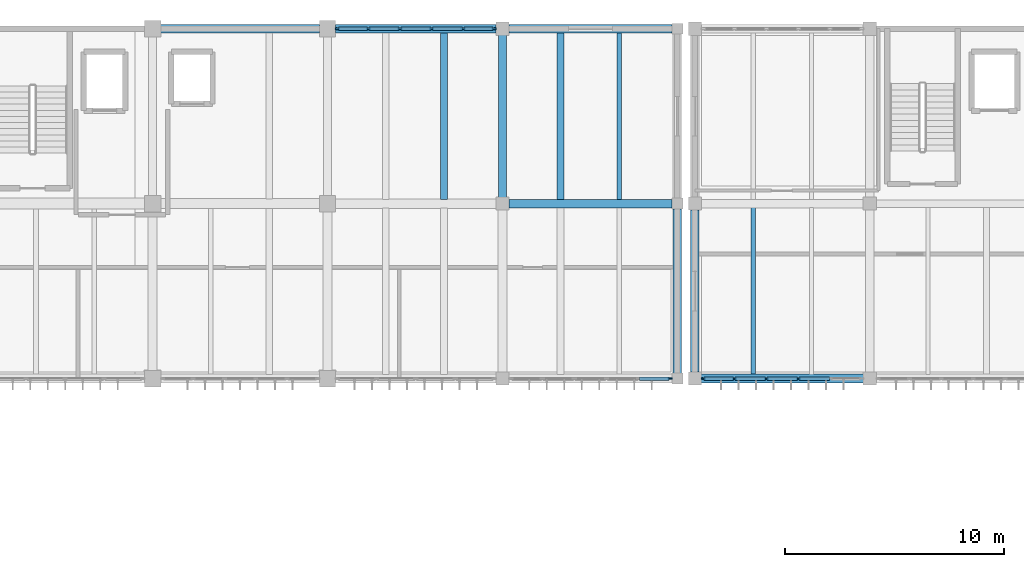
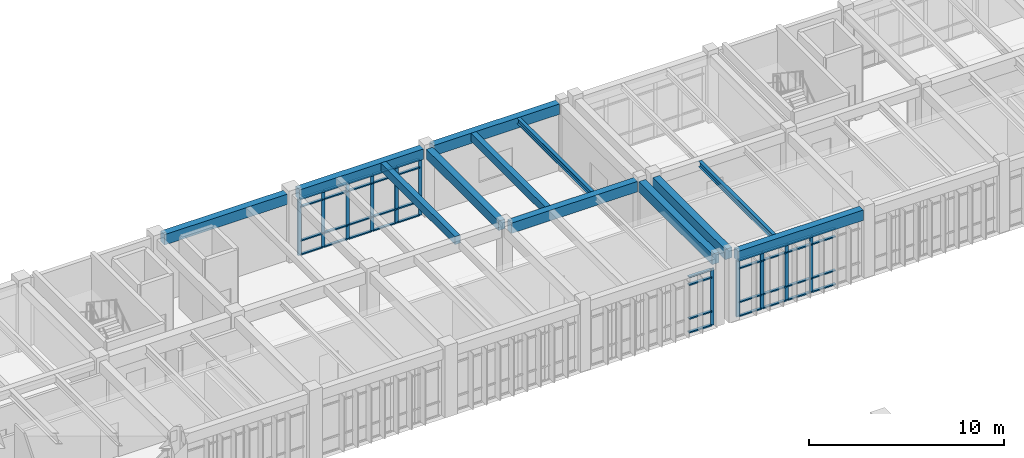
# One storey, part 26 of 79: 51 members, 12 beams, 3 elements without a shape of their own.
"""IFC4 building model written with IfcOpenShell, lengths in metres."""

from ifc_helpers import new_model, si_unit, direction, frame, origin, origin_2d, place, context, subcontext, project, spatial, rectangle, i_section, extrude, material, material_profile, profile_set, type_object, element, aggregate, save


model = new_model("IFC4")

# Units and contexts
model_context = context("Model", 3, precision=1e-05, world=origin(), true_north=direction((0.0, 1.0)))
body_context = subcontext(model_context, "Body", "Model", "MODEL_VIEW")
ifc_project = project(units=[si_unit("LENGTHUNIT", "METRE"), si_unit("AREAUNIT", "SQUARE_METRE"), si_unit("VOLUMEUNIT", "CUBIC_METRE"), si_unit("PLANEANGLEUNIT", "RADIAN"), si_unit("MASSUNIT", "GRAM", prefix="KILO")], contexts=[model_context])

# Site, building, storey
site_placement = place(None, origin())
site = spatial("IfcSite", under=ifc_project, at=site_placement, CompositionType="ELEMENT")
building_placement = place(site_placement, origin())
building = spatial("IfcBuilding", under=site, at=building_placement, Name="Tlaxcora Railside Police Headquarters", CompositionType="ELEMENT")
storey_placement = place(building_placement, frame((0.0, 0.0, 9.0)))
storey = spatial("IfcBuildingStorey", under=building, at=storey_placement, Name="L02", CompositionType="ELEMENT", Elevation=9.0)

# Curtain wall, member
ifc_material_1 = material(Name="Thermally broken low-E insulated glazing", Category="glass")
curtain_wall_type_1 = type_object("IfcCurtainWallType", Name="Unitised Curtain Wall Assembly CW-23", PredefinedType="NOTDEFINED", material=ifc_material_1)
curtain_wall_1_placement = place(storey_placement, origin())
curtain_wall_1 = element("IfcCurtainWall", 1, at=curtain_wall_1_placement, inside=storey, type_object=curtain_wall_type_1, Name="V5 L02 curtain wall 60", PredefinedType="NOTDEFINED")
ifc_material_2 = material(Name="Anodised aluminium framing", Category="aluminium")
ifc_material_profile_1 = material_profile(ifc_material_2, rectangle(XDim=0.080078125, YDim=0.219970703125, at=origin_2d()), Name="AL80X220")
ifc_profile_set_1 = profile_set([ifc_material_profile_1], Name="Anodised aluminium framing")
member_type_1 = type_object("IfcMemberType", Name="Curtain Wall Mullion CW-31", PredefinedType="MULLION", material=ifc_profile_set_1)
member_1_placement = place(storey_placement, frame((101.659912109375, 76.800048828125, 0.0), z_axis=(0.0, 0.0, 1.0), x_axis=(0.0, 1.0, 0.0)))
member_1 = element("IfcMember", 2, at=member_1_placement, type_object=member_type_1, Name="CW mullion 6", PredefinedType="MULLION", context=body_context, shape_type="SweptSolid", body=[
    extrude(rectangle(XDim=0.080078125, YDim=0.219970703125, at=origin_2d()), origin(), (0.0, 0.0, 1.0), 3.550048828125),
])

# Curtain wall, members
curtain_wall_type_2 = type_object("IfcCurtainWallType", Name="Unitised Curtain Wall Assembly CW-38", PredefinedType="NOTDEFINED", material=ifc_material_1)
curtain_wall_2_placement = place(storey_placement, origin())
curtain_wall_2 = element("IfcCurtainWall", 3, at=curtain_wall_2_placement, inside=storey, type_object=curtain_wall_type_2, Name="V5 L02 curtain wall 61", PredefinedType="NOTDEFINED")
ifc_material_profile_2 = material_profile(ifc_material_2, rectangle(XDim=0.074951171875, YDim=0.205078125, at=origin_2d()), Name="AL75X205")
ifc_profile_set_2 = profile_set([ifc_material_profile_2], Name="Anodised aluminium framing")
member_type_2 = type_object("IfcMemberType", Name="Curtain Wall Mullion CW-32", PredefinedType="MULLION", material=ifc_profile_set_2)
member_2_placement = place(storey_placement, frame((93.612548828125, 92.800048828125, 0.0), z_axis=(0.0, 0.0, 1.0), x_axis=(0.0, -1.0, 0.0)))
member_2 = element("IfcMember", 4, at=member_2_placement, type_object=member_type_2, Name="CW mullion 1", PredefinedType="MULLION", context=body_context, shape_type="SweptSolid", body=[
    extrude(rectangle(XDim=0.074951171875, YDim=0.205078125, at=origin_2d()), origin(), (0.0, 0.0, 1.0), 3.550048828125),
])
member_3_placement = place(storey_placement, frame((92.205078125, 92.800048828125, 0.0), z_axis=(0.0, 0.0, 1.0), x_axis=(0.0, -1.0, 0.0)))
member_3 = element("IfcMember", 5, at=member_3_placement, type_object=member_type_2, Name="CW mullion 2", PredefinedType="MULLION", context=body_context, shape_type="SweptSolid", body=[
    extrude(rectangle(XDim=0.074951171875, YDim=0.205078125, at=origin_2d()), origin(), (0.0, 0.0, 1.0), 3.550048828125),
])
member_4_placement = place(storey_placement, frame((90.760009765625, 92.800048828125, 0.0), z_axis=(0.0, 0.0, 1.0), x_axis=(0.0, -1.0, 0.0)))
member_4 = element("IfcMember", 6, at=member_4_placement, type_object=member_type_2, Name="CW mullion 3", PredefinedType="MULLION", context=body_context, shape_type="SweptSolid", body=[
    extrude(rectangle(XDim=0.074951171875, YDim=0.205078125, at=origin_2d()), origin(), (0.0, 0.0, 1.0), 3.550048828125),
])
member_5_placement = place(storey_placement, frame((89.31494140625, 92.800048828125, 0.0), z_axis=(0.0, 0.0, 1.0), x_axis=(0.0, -1.0, 0.0)))
member_5 = element("IfcMember", 7, at=member_5_placement, type_object=member_type_2, Name="CW mullion 4", PredefinedType="MULLION", context=body_context, shape_type="SweptSolid", body=[
    extrude(rectangle(XDim=0.074951171875, YDim=0.205078125, at=origin_2d()), origin(), (0.0, 0.0, 1.0), 3.550048828125),
])
member_6_placement = place(storey_placement, frame((87.8701171875, 92.800048828125, 0.0), z_axis=(0.0, 0.0, 1.0), x_axis=(0.0, -1.0, 0.0)))
member_6 = element("IfcMember", 8, at=member_6_placement, type_object=member_type_2, Name="CW mullion 5", PredefinedType="MULLION", context=body_context, shape_type="SweptSolid", body=[
    extrude(rectangle(XDim=0.074951171875, YDim=0.205078125, at=origin_2d()), origin(), (0.0, 0.0, 1.0), 3.550048828125),
])
member_7_placement = place(storey_placement, frame((86.46240234375, 92.800048828125, 0.0), z_axis=(0.0, 0.0, 1.0), x_axis=(0.0, -1.0, 0.0)))
member_7 = element("IfcMember", 9, at=member_7_placement, type_object=member_type_2, Name="CW mullion 6", PredefinedType="MULLION", context=body_context, shape_type="SweptSolid", body=[
    extrude(rectangle(XDim=0.074951171875, YDim=0.205078125, at=origin_2d()), origin(), (0.0, 0.0, 1.0), 3.550048828125),
])

curtain_wall_3_placement = place(storey_placement, origin())
curtain_wall_3 = element("IfcCurtainWall", 10, at=curtain_wall_3_placement, inside=storey, type_object=curtain_wall_type_2, Name="V6 L02 curtain wall 153", PredefinedType="NOTDEFINED")
member_8_placement = place(storey_placement, frame((103.1875, 76.800048828125, 0.0), z_axis=(0.0, 0.0, 1.0), x_axis=(0.0, 1.0, 0.0)))
member_8 = element("IfcMember", 11, at=member_8_placement, type_object=member_type_2, Name="CW mullion 1", PredefinedType="MULLION", context=body_context, shape_type="SweptSolid", body=[
    extrude(rectangle(XDim=0.074951171875, YDim=0.205078125, at=origin_2d()), origin(), (0.0, 0.0, 1.0), 3.550048828125),
])
member_9_placement = place(storey_placement, frame((104.610107421875, 76.800048828125, 0.0), z_axis=(0.0, 0.0, 1.0), x_axis=(0.0, 1.0, 0.0)))
member_9 = element("IfcMember", 12, at=member_9_placement, type_object=member_type_2, Name="CW mullion 2", PredefinedType="MULLION", context=body_context, shape_type="SweptSolid", body=[
    extrude(rectangle(XDim=0.074951171875, YDim=0.205078125, at=origin_2d()), origin(), (0.0, 0.0, 1.0), 3.550048828125),
])
member_10_placement = place(storey_placement, frame((106.070068359375, 76.800048828125, 0.0), z_axis=(0.0, 0.0, 1.0), x_axis=(0.0, 1.0, 0.0)))
member_10 = element("IfcMember", 13, at=member_10_placement, type_object=member_type_2, Name="CW mullion 3", PredefinedType="MULLION", context=body_context, shape_type="SweptSolid", body=[
    extrude(rectangle(XDim=0.074951171875, YDim=0.205078125, at=origin_2d()), origin(), (0.0, 0.0, 1.0), 3.550048828125),
])
member_11_placement = place(storey_placement, frame((107.530029296875, 76.800048828125, 0.0), z_axis=(0.0, 0.0, 1.0), x_axis=(0.0, 1.0, 0.0)))
member_11 = element("IfcMember", 14, at=member_11_placement, type_object=member_type_2, Name="CW mullion 4", PredefinedType="MULLION", context=body_context, shape_type="SweptSolid", body=[
    extrude(rectangle(XDim=0.074951171875, YDim=0.205078125, at=origin_2d()), origin(), (0.0, 0.0, 1.0), 3.550048828125),
])

# Member
ifc_material_profile_3 = material_profile(ifc_material_2, rectangle(XDim=0.155029296875, YDim=0.074951171875, at=origin_2d()), Name="AL75X155")
ifc_profile_set_3 = profile_set([ifc_material_profile_3], Name="Anodised aluminium framing")
member_type_3 = type_object("IfcMemberType", Name="Curtain Wall Transom CW-30", PredefinedType="USERDEFINED", material=ifc_profile_set_3)
member_12_placement = place(storey_placement, frame((93.574951171875, 92.800048828125, 0.03759765625), z_axis=(-1.0, 0.0, 0.0), x_axis=(0.0, -1.0, 0.0)))
member_12 = element("IfcMember", 15, at=member_12_placement, type_object=member_type_3, Name="CW transom 1.1", ObjectType="TRANSOM", PredefinedType="USERDEFINED", context=body_context, shape_type="SweptSolid", body=[
    extrude(rectangle(XDim=0.155029296875, YDim=0.074951171875, at=origin_2d()), origin(), (0.0, 0.0, 1.0), 1.33251953125),
])

member_13_placement = place(storey_placement, frame((93.574951171875, 92.800048828125, 0.89990234375), z_axis=(-1.0, 0.0, 0.0), x_axis=(0.0, -1.0, 0.0)))
member_13 = element("IfcMember", 16, at=member_13_placement, type_object=member_type_3, Name="CW transom 1.2", ObjectType="TRANSOM", PredefinedType="USERDEFINED", context=body_context, shape_type="SweptSolid", body=[
    extrude(rectangle(XDim=0.155029296875, YDim=0.074951171875, at=origin_2d()), origin(), (0.0, 0.0, 1.0), 1.33251953125),
])

member_14_placement = place(storey_placement, frame((93.574951171875, 92.800048828125, 3.02001953125), z_axis=(-1.0, 0.0, 0.0), x_axis=(0.0, -1.0, 0.0)))
member_14 = element("IfcMember", 17, at=member_14_placement, type_object=member_type_3, Name="CW transom 1.3", ObjectType="TRANSOM", PredefinedType="USERDEFINED", context=body_context, shape_type="SweptSolid", body=[
    extrude(rectangle(XDim=0.155029296875, YDim=0.074951171875, at=origin_2d()), origin(), (0.0, 0.0, 1.0), 1.33251953125),
])

member_15_placement = place(storey_placement, frame((93.574951171875, 92.800048828125, 3.512451171875), z_axis=(-1.0, 0.0, 0.0), x_axis=(0.0, -1.0, 0.0)))
member_15 = element("IfcMember", 18, at=member_15_placement, type_object=member_type_3, Name="CW transom 1.4", ObjectType="TRANSOM", PredefinedType="USERDEFINED", context=body_context, shape_type="SweptSolid", body=[
    extrude(rectangle(XDim=0.155029296875, YDim=0.074951171875, at=origin_2d()), origin(), (0.0, 0.0, 1.0), 1.33251953125),
])

member_16_placement = place(storey_placement, frame((92.16748046875, 92.800048828125, 0.03759765625), z_axis=(-1.0, 0.0, 0.0), x_axis=(0.0, -1.0, 0.0)))
member_16 = element("IfcMember", 19, at=member_16_placement, type_object=member_type_3, Name="CW transom 2.1", ObjectType="TRANSOM", PredefinedType="USERDEFINED", context=body_context, shape_type="SweptSolid", body=[
    extrude(rectangle(XDim=0.155029296875, YDim=0.074951171875, at=origin_2d()), origin(), (0.0, 0.0, 1.0), 1.369873046875),
])

member_17_placement = place(storey_placement, frame((92.16748046875, 92.800048828125, 0.89990234375), z_axis=(-1.0, 0.0, 0.0), x_axis=(0.0, -1.0, 0.0)))
member_17 = element("IfcMember", 20, at=member_17_placement, type_object=member_type_3, Name="CW transom 2.2", ObjectType="TRANSOM", PredefinedType="USERDEFINED", context=body_context, shape_type="SweptSolid", body=[
    extrude(rectangle(XDim=0.155029296875, YDim=0.074951171875, at=origin_2d()), origin(), (0.0, 0.0, 1.0), 1.369873046875),
])

member_18_placement = place(storey_placement, frame((92.16748046875, 92.800048828125, 3.02001953125), z_axis=(-1.0, 0.0, 0.0), x_axis=(0.0, -1.0, 0.0)))
member_18 = element("IfcMember", 21, at=member_18_placement, type_object=member_type_3, Name="CW transom 2.3", ObjectType="TRANSOM", PredefinedType="USERDEFINED", context=body_context, shape_type="SweptSolid", body=[
    extrude(rectangle(XDim=0.155029296875, YDim=0.074951171875, at=origin_2d()), origin(), (0.0, 0.0, 1.0), 1.369873046875),
])

member_19_placement = place(storey_placement, frame((92.16748046875, 92.800048828125, 3.512451171875), z_axis=(-1.0, 0.0, 0.0), x_axis=(0.0, -1.0, 0.0)))
member_19 = element("IfcMember", 22, at=member_19_placement, type_object=member_type_3, Name="CW transom 2.4", ObjectType="TRANSOM", PredefinedType="USERDEFINED", context=body_context, shape_type="SweptSolid", body=[
    extrude(rectangle(XDim=0.155029296875, YDim=0.074951171875, at=origin_2d()), origin(), (0.0, 0.0, 1.0), 1.369873046875),
])

member_20_placement = place(storey_placement, frame((90.722412109375, 92.800048828125, 0.03759765625), z_axis=(-1.0, 0.0, 0.0), x_axis=(0.0, -1.0, 0.0)))
member_20 = element("IfcMember", 23, at=member_20_placement, type_object=member_type_3, Name="CW transom 3.1", ObjectType="TRANSOM", PredefinedType="USERDEFINED", context=body_context, shape_type="SweptSolid", body=[
    extrude(rectangle(XDim=0.155029296875, YDim=0.074951171875, at=origin_2d()), origin(), (0.0, 0.0, 1.0), 1.369873046875),
])

member_21_placement = place(storey_placement, frame((90.722412109375, 92.800048828125, 0.89990234375), z_axis=(-1.0, 0.0, 0.0), x_axis=(0.0, -1.0, 0.0)))
member_21 = element("IfcMember", 24, at=member_21_placement, type_object=member_type_3, Name="CW transom 3.2", ObjectType="TRANSOM", PredefinedType="USERDEFINED", context=body_context, shape_type="SweptSolid", body=[
    extrude(rectangle(XDim=0.155029296875, YDim=0.074951171875, at=origin_2d()), origin(), (0.0, 0.0, 1.0), 1.369873046875),
])

member_22_placement = place(storey_placement, frame((90.722412109375, 92.800048828125, 3.02001953125), z_axis=(-1.0, 0.0, 0.0), x_axis=(0.0, -1.0, 0.0)))
member_22 = element("IfcMember", 25, at=member_22_placement, type_object=member_type_3, Name="CW transom 3.3", ObjectType="TRANSOM", PredefinedType="USERDEFINED", context=body_context, shape_type="SweptSolid", body=[
    extrude(rectangle(XDim=0.155029296875, YDim=0.074951171875, at=origin_2d()), origin(), (0.0, 0.0, 1.0), 1.369873046875),
])

member_23_placement = place(storey_placement, frame((90.722412109375, 92.800048828125, 3.512451171875), z_axis=(-1.0, 0.0, 0.0), x_axis=(0.0, -1.0, 0.0)))
member_23 = element("IfcMember", 26, at=member_23_placement, type_object=member_type_3, Name="CW transom 3.4", ObjectType="TRANSOM", PredefinedType="USERDEFINED", context=body_context, shape_type="SweptSolid", body=[
    extrude(rectangle(XDim=0.155029296875, YDim=0.074951171875, at=origin_2d()), origin(), (0.0, 0.0, 1.0), 1.369873046875),
])

member_24_placement = place(storey_placement, frame((89.277587890625, 92.800048828125, 0.03759765625), z_axis=(-1.0, 0.0, 0.0), x_axis=(0.0, -1.0, 0.0)))
member_24 = element("IfcMember", 27, at=member_24_placement, type_object=member_type_3, Name="CW transom 4.1", ObjectType="TRANSOM", PredefinedType="USERDEFINED", context=body_context, shape_type="SweptSolid", body=[
    extrude(rectangle(XDim=0.155029296875, YDim=0.074951171875, at=origin_2d()), origin(), (0.0, 0.0, 1.0), 1.3701171875),
])

member_25_placement = place(storey_placement, frame((89.277587890625, 92.800048828125, 0.89990234375), z_axis=(-1.0, 0.0, 0.0), x_axis=(0.0, -1.0, 0.0)))
member_25 = element("IfcMember", 28, at=member_25_placement, type_object=member_type_3, Name="CW transom 4.2", ObjectType="TRANSOM", PredefinedType="USERDEFINED", context=body_context, shape_type="SweptSolid", body=[
    extrude(rectangle(XDim=0.155029296875, YDim=0.074951171875, at=origin_2d()), origin(), (0.0, 0.0, 1.0), 1.3701171875),
])

member_26_placement = place(storey_placement, frame((89.277587890625, 92.800048828125, 3.02001953125), z_axis=(-1.0, 0.0, 0.0), x_axis=(0.0, -1.0, 0.0)))
member_26 = element("IfcMember", 29, at=member_26_placement, type_object=member_type_3, Name="CW transom 4.3", ObjectType="TRANSOM", PredefinedType="USERDEFINED", context=body_context, shape_type="SweptSolid", body=[
    extrude(rectangle(XDim=0.155029296875, YDim=0.074951171875, at=origin_2d()), origin(), (0.0, 0.0, 1.0), 1.3701171875),
])

member_27_placement = place(storey_placement, frame((89.277587890625, 92.800048828125, 3.512451171875), z_axis=(-1.0, 0.0, 0.0), x_axis=(0.0, -1.0, 0.0)))
member_27 = element("IfcMember", 30, at=member_27_placement, type_object=member_type_3, Name="CW transom 4.4", ObjectType="TRANSOM", PredefinedType="USERDEFINED", context=body_context, shape_type="SweptSolid", body=[
    extrude(rectangle(XDim=0.155029296875, YDim=0.074951171875, at=origin_2d()), origin(), (0.0, 0.0, 1.0), 1.3701171875),
])

member_28_placement = place(storey_placement, frame((87.83251953125, 92.800048828125, 0.03759765625), z_axis=(-1.0, 0.0, 0.0), x_axis=(0.0, -1.0, 0.0)))
member_28 = element("IfcMember", 31, at=member_28_placement, type_object=member_type_3, Name="CW transom 5.1", ObjectType="TRANSOM", PredefinedType="USERDEFINED", context=body_context, shape_type="SweptSolid", body=[
    extrude(rectangle(XDim=0.155029296875, YDim=0.074951171875, at=origin_2d()), origin(), (0.0, 0.0, 1.0), 1.33251953125),
])

member_29_placement = place(storey_placement, frame((87.83251953125, 92.800048828125, 0.89990234375), z_axis=(-1.0, 0.0, 0.0), x_axis=(0.0, -1.0, 0.0)))
member_29 = element("IfcMember", 32, at=member_29_placement, type_object=member_type_3, Name="CW transom 5.2", ObjectType="TRANSOM", PredefinedType="USERDEFINED", context=body_context, shape_type="SweptSolid", body=[
    extrude(rectangle(XDim=0.155029296875, YDim=0.074951171875, at=origin_2d()), origin(), (0.0, 0.0, 1.0), 1.33251953125),
])

member_30_placement = place(storey_placement, frame((87.83251953125, 92.800048828125, 3.02001953125), z_axis=(-1.0, 0.0, 0.0), x_axis=(0.0, -1.0, 0.0)))
member_30 = element("IfcMember", 33, at=member_30_placement, type_object=member_type_3, Name="CW transom 5.3", ObjectType="TRANSOM", PredefinedType="USERDEFINED", context=body_context, shape_type="SweptSolid", body=[
    extrude(rectangle(XDim=0.155029296875, YDim=0.074951171875, at=origin_2d()), origin(), (0.0, 0.0, 1.0), 1.33251953125),
])

member_31_placement = place(storey_placement, frame((87.83251953125, 92.800048828125, 3.512451171875), z_axis=(-1.0, 0.0, 0.0), x_axis=(0.0, -1.0, 0.0)))
member_31 = element("IfcMember", 34, at=member_31_placement, type_object=member_type_3, Name="CW transom 5.4", ObjectType="TRANSOM", PredefinedType="USERDEFINED", context=body_context, shape_type="SweptSolid", body=[
    extrude(rectangle(XDim=0.155029296875, YDim=0.074951171875, at=origin_2d()), origin(), (0.0, 0.0, 1.0), 1.33251953125),
])

aggregate(curtain_wall_2, [member_2, member_3, member_4, member_5, member_6, member_7, member_12, member_13, member_14, member_15, member_16, member_17, member_18, member_19, member_20, member_21, member_22, member_23, member_24, member_25, member_26, member_27, member_28, member_29, member_30, member_31])

member_32_placement = place(storey_placement, frame((103.22509765625, 76.800048828125, 0.03759765625), z_axis=(1.0, 0.0, 0.0), x_axis=(0.0, 1.0, 0.0)))
member_32 = element("IfcMember", 35, at=member_32_placement, type_object=member_type_3, Name="CW transom 1.1", ObjectType="TRANSOM", PredefinedType="USERDEFINED", context=body_context, shape_type="SweptSolid", body=[
    extrude(rectangle(XDim=0.155029296875, YDim=0.074951171875, at=origin_2d()), origin(), (0.0, 0.0, 1.0), 1.347412109375),
])

member_33_placement = place(storey_placement, frame((103.22509765625, 76.800048828125, 0.89990234375), z_axis=(1.0, 0.0, 0.0), x_axis=(0.0, 1.0, 0.0)))
member_33 = element("IfcMember", 36, at=member_33_placement, type_object=member_type_3, Name="CW transom 1.2", ObjectType="TRANSOM", PredefinedType="USERDEFINED", context=body_context, shape_type="SweptSolid", body=[
    extrude(rectangle(XDim=0.155029296875, YDim=0.074951171875, at=origin_2d()), origin(), (0.0, 0.0, 1.0), 1.347412109375),
])

member_34_placement = place(storey_placement, frame((103.22509765625, 76.800048828125, 3.02001953125), z_axis=(1.0, 0.0, 0.0), x_axis=(0.0, 1.0, 0.0)))
member_34 = element("IfcMember", 37, at=member_34_placement, type_object=member_type_3, Name="CW transom 1.3", ObjectType="TRANSOM", PredefinedType="USERDEFINED", context=body_context, shape_type="SweptSolid", body=[
    extrude(rectangle(XDim=0.155029296875, YDim=0.074951171875, at=origin_2d()), origin(), (0.0, 0.0, 1.0), 1.347412109375),
])

member_35_placement = place(storey_placement, frame((103.22509765625, 76.800048828125, 3.512451171875), z_axis=(1.0, 0.0, 0.0), x_axis=(0.0, 1.0, 0.0)))
member_35 = element("IfcMember", 38, at=member_35_placement, type_object=member_type_3, Name="CW transom 1.4", ObjectType="TRANSOM", PredefinedType="USERDEFINED", context=body_context, shape_type="SweptSolid", body=[
    extrude(rectangle(XDim=0.155029296875, YDim=0.074951171875, at=origin_2d()), origin(), (0.0, 0.0, 1.0), 1.347412109375),
])

member_36_placement = place(storey_placement, frame((104.6474609375, 76.800048828125, 0.03759765625), z_axis=(1.0, 0.0, 0.0), x_axis=(0.0, 1.0, 0.0)))
member_36 = element("IfcMember", 39, at=member_36_placement, type_object=member_type_3, Name="CW transom 2.1", ObjectType="TRANSOM", PredefinedType="USERDEFINED", context=body_context, shape_type="SweptSolid", body=[
    extrude(rectangle(XDim=0.155029296875, YDim=0.074951171875, at=origin_2d()), origin(), (0.0, 0.0, 1.0), 1.385009765625),
])

member_37_placement = place(storey_placement, frame((104.6474609375, 76.800048828125, 0.89990234375), z_axis=(1.0, 0.0, 0.0), x_axis=(0.0, 1.0, 0.0)))
member_37 = element("IfcMember", 40, at=member_37_placement, type_object=member_type_3, Name="CW transom 2.2", ObjectType="TRANSOM", PredefinedType="USERDEFINED", context=body_context, shape_type="SweptSolid", body=[
    extrude(rectangle(XDim=0.155029296875, YDim=0.074951171875, at=origin_2d()), origin(), (0.0, 0.0, 1.0), 1.385009765625),
])

member_38_placement = place(storey_placement, frame((104.6474609375, 76.800048828125, 3.02001953125), z_axis=(1.0, 0.0, 0.0), x_axis=(0.0, 1.0, 0.0)))
member_38 = element("IfcMember", 41, at=member_38_placement, type_object=member_type_3, Name="CW transom 2.3", ObjectType="TRANSOM", PredefinedType="USERDEFINED", context=body_context, shape_type="SweptSolid", body=[
    extrude(rectangle(XDim=0.155029296875, YDim=0.074951171875, at=origin_2d()), origin(), (0.0, 0.0, 1.0), 1.385009765625),
])

member_39_placement = place(storey_placement, frame((104.6474609375, 76.800048828125, 3.512451171875), z_axis=(1.0, 0.0, 0.0), x_axis=(0.0, 1.0, 0.0)))
member_39 = element("IfcMember", 42, at=member_39_placement, type_object=member_type_3, Name="CW transom 2.4", ObjectType="TRANSOM", PredefinedType="USERDEFINED", context=body_context, shape_type="SweptSolid", body=[
    extrude(rectangle(XDim=0.155029296875, YDim=0.074951171875, at=origin_2d()), origin(), (0.0, 0.0, 1.0), 1.385009765625),
])

member_40_placement = place(storey_placement, frame((106.107421875, 76.800048828125, 0.03759765625), z_axis=(1.0, 0.0, 0.0), x_axis=(0.0, 1.0, 0.0)))
member_40 = element("IfcMember", 43, at=member_40_placement, type_object=member_type_3, Name="CW transom 3.1", ObjectType="TRANSOM", PredefinedType="USERDEFINED", context=body_context, shape_type="SweptSolid", body=[
    extrude(rectangle(XDim=0.155029296875, YDim=0.074951171875, at=origin_2d()), origin(), (0.0, 0.0, 1.0), 1.385009765625),
])

member_41_placement = place(storey_placement, frame((106.107421875, 76.800048828125, 0.89990234375), z_axis=(1.0, 0.0, 0.0), x_axis=(0.0, 1.0, 0.0)))
member_41 = element("IfcMember", 44, at=member_41_placement, type_object=member_type_3, Name="CW transom 3.2", ObjectType="TRANSOM", PredefinedType="USERDEFINED", context=body_context, shape_type="SweptSolid", body=[
    extrude(rectangle(XDim=0.155029296875, YDim=0.074951171875, at=origin_2d()), origin(), (0.0, 0.0, 1.0), 1.385009765625),
])

member_42_placement = place(storey_placement, frame((106.107421875, 76.800048828125, 3.02001953125), z_axis=(1.0, 0.0, 0.0), x_axis=(0.0, 1.0, 0.0)))
member_42 = element("IfcMember", 45, at=member_42_placement, type_object=member_type_3, Name="CW transom 3.3", ObjectType="TRANSOM", PredefinedType="USERDEFINED", context=body_context, shape_type="SweptSolid", body=[
    extrude(rectangle(XDim=0.155029296875, YDim=0.074951171875, at=origin_2d()), origin(), (0.0, 0.0, 1.0), 1.385009765625),
])

member_43_placement = place(storey_placement, frame((106.107421875, 76.800048828125, 3.512451171875), z_axis=(1.0, 0.0, 0.0), x_axis=(0.0, 1.0, 0.0)))
member_43 = element("IfcMember", 46, at=member_43_placement, type_object=member_type_3, Name="CW transom 3.4", ObjectType="TRANSOM", PredefinedType="USERDEFINED", context=body_context, shape_type="SweptSolid", body=[
    extrude(rectangle(XDim=0.155029296875, YDim=0.074951171875, at=origin_2d()), origin(), (0.0, 0.0, 1.0), 1.385009765625),
])

member_44_placement = place(storey_placement, frame((107.5673828125, 76.800048828125, 0.03759765625), z_axis=(1.0, 0.0, 0.0), x_axis=(0.0, 1.0, 0.0)))
member_44 = element("IfcMember", 47, at=member_44_placement, type_object=member_type_3, Name="CW transom 4.1", ObjectType="TRANSOM", PredefinedType="USERDEFINED", context=body_context, shape_type="SweptSolid", body=[
    extrude(rectangle(XDim=0.155029296875, YDim=0.074951171875, at=origin_2d()), origin(), (0.0, 0.0, 1.0), 1.385009765625),
])

member_45_placement = place(storey_placement, frame((107.5673828125, 76.800048828125, 0.89990234375), z_axis=(1.0, 0.0, 0.0), x_axis=(0.0, 1.0, 0.0)))
member_45 = element("IfcMember", 48, at=member_45_placement, type_object=member_type_3, Name="CW transom 4.2", ObjectType="TRANSOM", PredefinedType="USERDEFINED", context=body_context, shape_type="SweptSolid", body=[
    extrude(rectangle(XDim=0.155029296875, YDim=0.074951171875, at=origin_2d()), origin(), (0.0, 0.0, 1.0), 1.385009765625),
])

member_46_placement = place(storey_placement, frame((107.5673828125, 76.800048828125, 3.02001953125), z_axis=(1.0, 0.0, 0.0), x_axis=(0.0, 1.0, 0.0)))
member_46 = element("IfcMember", 49, at=member_46_placement, type_object=member_type_3, Name="CW transom 4.3", ObjectType="TRANSOM", PredefinedType="USERDEFINED", context=body_context, shape_type="SweptSolid", body=[
    extrude(rectangle(XDim=0.155029296875, YDim=0.074951171875, at=origin_2d()), origin(), (0.0, 0.0, 1.0), 1.385009765625),
])

member_47_placement = place(storey_placement, frame((107.5673828125, 76.800048828125, 3.512451171875), z_axis=(1.0, 0.0, 0.0), x_axis=(0.0, 1.0, 0.0)))
member_47 = element("IfcMember", 50, at=member_47_placement, type_object=member_type_3, Name="CW transom 4.4", ObjectType="TRANSOM", PredefinedType="USERDEFINED", context=body_context, shape_type="SweptSolid", body=[
    extrude(rectangle(XDim=0.155029296875, YDim=0.074951171875, at=origin_2d()), origin(), (0.0, 0.0, 1.0), 1.385009765625),
])

aggregate(curtain_wall_3, [member_8, member_9, member_10, member_11, member_32, member_33, member_34, member_35, member_36, member_37, member_38, member_39, member_40, member_41, member_42, member_43, member_44, member_45, member_46, member_47])

ifc_material_profile_4 = material_profile(ifc_material_2, rectangle(XDim=0.1650390625, YDim=0.080078125, at=origin_2d()), Name="AL80X165")
ifc_profile_set_4 = profile_set([ifc_material_profile_4], Name="Anodised aluminium framing")
member_type_4 = type_object("IfcMemberType", Name="Curtain Wall Transom CW-62", PredefinedType="USERDEFINED", material=ifc_profile_set_4)
member_48_placement = place(storey_placement, frame((100.27001953125, 76.800048828125, 0.0400390625), z_axis=(1.0, 0.0, 0.0), x_axis=(0.0, 1.0, 0.0)))
member_48 = element("IfcMember", 51, at=member_48_placement, type_object=member_type_4, Name="CW transom 5.1", ObjectType="TRANSOM", PredefinedType="USERDEFINED", context=body_context, shape_type="SweptSolid", body=[
    extrude(rectangle(XDim=0.1650390625, YDim=0.080078125, at=origin_2d()), origin(), (0.0, 0.0, 1.0), 1.35009765625),
])

member_49_placement = place(storey_placement, frame((100.27001953125, 76.800048828125, 0.89990234375), z_axis=(1.0, 0.0, 0.0), x_axis=(0.0, 1.0, 0.0)))
member_49 = element("IfcMember", 52, at=member_49_placement, type_object=member_type_4, Name="CW transom 5.2", ObjectType="TRANSOM", PredefinedType="USERDEFINED", context=body_context, shape_type="SweptSolid", body=[
    extrude(rectangle(XDim=0.1650390625, YDim=0.080078125, at=origin_2d()), origin(), (0.0, 0.0, 1.0), 1.35009765625),
])

member_50_placement = place(storey_placement, frame((100.27001953125, 76.800048828125, 3.02001953125), z_axis=(1.0, 0.0, 0.0), x_axis=(0.0, 1.0, 0.0)))
member_50 = element("IfcMember", 53, at=member_50_placement, type_object=member_type_4, Name="CW transom 5.3", ObjectType="TRANSOM", PredefinedType="USERDEFINED", context=body_context, shape_type="SweptSolid", body=[
    extrude(rectangle(XDim=0.1650390625, YDim=0.080078125, at=origin_2d()), origin(), (0.0, 0.0, 1.0), 1.35009765625),
])

member_51_placement = place(storey_placement, frame((100.27001953125, 76.800048828125, 3.510009765625), z_axis=(1.0, 0.0, 0.0), x_axis=(0.0, 1.0, 0.0)))
member_51 = element("IfcMember", 54, at=member_51_placement, type_object=member_type_4, Name="CW transom 5.4", ObjectType="TRANSOM", PredefinedType="USERDEFINED", context=body_context, shape_type="SweptSolid", body=[
    extrude(rectangle(XDim=0.1650390625, YDim=0.080078125, at=origin_2d()), origin(), (0.0, 0.0, 1.0), 1.35009765625),
])

aggregate(curtain_wall_1, [member_1, member_48, member_49, member_50, member_51])

# Beams
ifc_material_3 = material(Name="Concrete C40/50", Category="concrete")
ifc_material_profile_5 = material_profile(ifc_material_3, rectangle(XDim=0.39990234375, YDim=0.64990234375, at=origin_2d()), Name="RC400X650")
ifc_profile_set_5 = profile_set([ifc_material_profile_5], Name="Concrete C40/50")
beam_type_1 = type_object("IfcBeamType", Name="Perimeter Spandrel Beam BM-46", PredefinedType="SPANDREL", material=ifc_profile_set_5)
beam_1_placement = place(storey_placement, frame((78.364990234375, 92.800048828125, 3.89501953125), z_axis=(1.0, 0.0, 0.0), x_axis=(0.0, 1.0, 0.0)))
element("IfcBeam", 55, at=beam_1_placement, inside=storey, type_object=beam_type_1, Name="V5 L02 X-girder Y=92.8", PredefinedType="SPANDREL", context=body_context, shape_type="SweptSolid", body=[
    extrude(rectangle(XDim=0.39990234375, YDim=0.64990234375, at=origin_2d()), origin(), (0.0, 0.0, 1.0), 7.27001953125),
])
beam_2_placement = place(storey_placement, frame((86.364990234375, 92.800048828125, 3.89501953125), z_axis=(1.0, 0.0, 0.0), x_axis=(0.0, 1.0, 0.0)))
element("IfcBeam", 56, at=beam_2_placement, inside=storey, type_object=beam_type_1, Name="V5 L02 X-girder Y=92.8", PredefinedType="SPANDREL", context=body_context, shape_type="SweptSolid", body=[
    extrude(rectangle(XDim=0.39990234375, YDim=0.64990234375, at=origin_2d()), origin(), (0.0, 0.0, 1.0), 7.344970703125),
])
beam_3_placement = place(storey_placement, frame((94.2900390625, 92.800048828125, 3.89501953125), z_axis=(1.0, 0.0, 0.0), x_axis=(0.0, 1.0, 0.0)))
element("IfcBeam", 57, at=beam_3_placement, inside=storey, type_object=beam_type_1, Name="V5 L02 X-girder Y=92.8", PredefinedType="SPANDREL", context=body_context, shape_type="SweptSolid", body=[
    extrude(rectangle(XDim=0.39990234375, YDim=0.64990234375, at=origin_2d()), origin(), (0.0, 0.0, 1.0), 7.469970703125),
])
beam_4_placement = place(storey_placement, frame((102.0, 77.0400390625, 3.89501953125), z_axis=(0.0, 1.0, 0.0), x_axis=(-1.0, 0.0, 0.0)))
element("IfcBeam", 58, at=beam_4_placement, inside=storey, type_object=beam_type_1, Name="V5 L02 Y-girder X=102.0", PredefinedType="SPANDREL", context=body_context, shape_type="SweptSolid", body=[
    extrude(rectangle(XDim=0.39990234375, YDim=0.64990234375, at=origin_2d()), origin(), (0.0, 0.0, 1.0), 7.52001953125),
])
for number, where, z_axis, x_axis, name in (
    (59, (103.090087890625, 76.800048828125, 3.89501953125), (1.0, 0.0, 0.0), (0.0, 1.0, 0.0), "V6 L02 X-girder Y=76.8"),
    (60, (102.800048828125, 77.090087890625, 3.89501953125), (0.0, 1.0, 0.0), (-1.0, 0.0, 0.0), "V6 L02 Y-girder X=102.8"),
):
    element("IfcBeam", number, at=place(storey_placement, frame(where, z_axis=z_axis, x_axis=x_axis)), inside=storey, type_object=beam_type_1, Name=name, PredefinedType="SPANDREL", context=body_context, shape_type="SweptSolid", body=[
        extrude(rectangle(XDim=0.39990234375, YDim=0.64990234375, at=origin_2d()), origin(), (0.0, 0.0, 1.0), 7.419921875),
    ])
ifc_material_profile_6 = material_profile(ifc_material_3, rectangle(XDim=0.3798828125, YDim=0.60009765625, at=origin_2d()), Name="RC380X600")
ifc_profile_set_6 = profile_set([ifc_material_profile_6], Name="Concrete C40/50")
beam_type_2 = type_object("IfcBeamType", Name="Primary Frame Girder BM-22", PredefinedType="BEAM", material=ifc_profile_set_6)
beam_5_placement = place(storey_placement, frame((94.0, 85.090087890625, 3.919921875), z_axis=(0.0, 1.0, 0.0), x_axis=(-1.0, 0.0, 0.0)))
element("IfcBeam", 61, at=beam_5_placement, inside=storey, type_object=beam_type_2, Name="V5 L02 Y-girder X=94.0", PredefinedType="BEAM", context=body_context, shape_type="SweptSolid", body=[
    extrude(rectangle(XDim=0.3798828125, YDim=0.60009765625, at=origin_2d()), origin(), (0.0, 0.0, 1.0), 7.419921875),
])
ifc_material_profile_7 = material_profile(ifc_material_3, rectangle(XDim=0.39990234375, YDim=0.64990234375, at=origin_2d()), Name="RC400X650")
ifc_profile_set_7 = profile_set([ifc_material_profile_7], Name="Concrete C40/50")
beam_type_3 = type_object("IfcBeamType", Name="Primary Frame Girder BM-41", PredefinedType="BEAM", material=ifc_profile_set_7)
beam_6_placement = place(storey_placement, frame((94.2900390625, 84.800048828125, 3.89501953125), z_axis=(1.0, 0.0, 0.0), x_axis=(0.0, 1.0, 0.0)))
element("IfcBeam", 62, at=beam_6_placement, inside=storey, type_object=beam_type_3, Name="V5 L02 X-girder Y=84.8", PredefinedType="BEAM", context=body_context, shape_type="SweptSolid", body=[
    extrude(rectangle(XDim=0.39990234375, YDim=0.64990234375, at=origin_2d()), origin(), (0.0, 0.0, 1.0), 7.469970703125),
])
ifc_material_4 = material(Name="Steel ASTM A992 Grade 50", Category="steel")
ifc_material_profile_8 = material_profile(ifc_material_4, i_section(OverallWidth=0.2041015625, OverallDepth=0.35009765625, WebThickness=0.008544921875, FlangeThickness=0.01513671875, at=origin_2d()), Name="W14X48")
ifc_profile_set_8 = profile_set([ifc_material_profile_8], Name="Steel ASTM A992 Grade 50")
beam_type_4 = type_object("IfcBeamType", Name="Secondary Floor Joist BM-65", PredefinedType="JOIST", material=ifc_profile_set_8)
beam_7_placement = place(storey_placement, frame((99.333251953125, 84.991943359375, 4.044921875), z_axis=(0.0, 1.0, 0.0), x_axis=(-1.0, 0.0, 0.0)))
element("IfcBeam", 63, at=beam_7_placement, inside=storey, type_object=beam_type_4, Name="V5 L02 floor joist X=99.33", PredefinedType="JOIST", context=body_context, shape_type="SweptSolid", body=[
    extrude(i_section(OverallWidth=0.2041015625, OverallDepth=0.35009765625, WebThickness=0.008544921875, FlangeThickness=0.01513671875, at=origin_2d()), origin(), (0.0, 0.0, 1.0), 7.615966796875),
])
beam_8_placement = place(storey_placement, frame((105.466796875, 76.991943359375, 4.044921875), z_axis=(0.0, 1.0, 0.0), x_axis=(-1.0, 0.0, 0.0)))
element("IfcBeam", 64, at=beam_8_placement, inside=storey, type_object=beam_type_4, Name="V6 L02 floor joist X=105.47", PredefinedType="JOIST", context=body_context, shape_type="SweptSolid", body=[
    extrude(i_section(OverallWidth=0.2041015625, OverallDepth=0.35009765625, WebThickness=0.008544921875, FlangeThickness=0.01513671875, at=origin_2d()), origin(), (0.0, 0.0, 1.0), 7.6259765625),
])
ifc_material_5 = material(Name="Concrete C35/45", Category="concrete")
ifc_material_profile_9 = material_profile(ifc_material_5, rectangle(XDim=0.320068359375, YDim=0.5, at=origin_2d()), Name="RC320X500")
ifc_profile_set_9 = profile_set([ifc_material_profile_9], Name="Concrete C35/45")
beam_type_5 = type_object("IfcBeamType", Name="Secondary Floor Joist BM-88", PredefinedType="JOIST", material=ifc_profile_set_9)
beam_9_placement = place(storey_placement, frame((91.333251953125, 85.001953125, 3.969970703125), z_axis=(0.0, 1.0, 0.0), x_axis=(-1.0, 0.0, 0.0)))
element("IfcBeam", 65, at=beam_9_placement, inside=storey, type_object=beam_type_5, Name="V5 L02 floor joist X=91.33", PredefinedType="JOIST", context=body_context, shape_type="SweptSolid", body=[
    extrude(rectangle(XDim=0.320068359375, YDim=0.5, at=origin_2d()), origin(), (0.0, 0.0, 1.0), 7.60595703125),
])
beam_10_placement = place(storey_placement, frame((96.666748046875, 84.991943359375, 3.969970703125), z_axis=(0.0, 1.0, 0.0), x_axis=(-1.0, 0.0, 0.0)))
element("IfcBeam", 66, at=beam_10_placement, inside=storey, type_object=beam_type_5, Name="V5 L02 floor joist X=96.67", PredefinedType="JOIST", context=body_context, shape_type="SweptSolid", body=[
    extrude(rectangle(XDim=0.320068359375, YDim=0.5, at=origin_2d()), origin(), (0.0, 0.0, 1.0), 7.615966796875),
])

save(model, "model.ifc")
